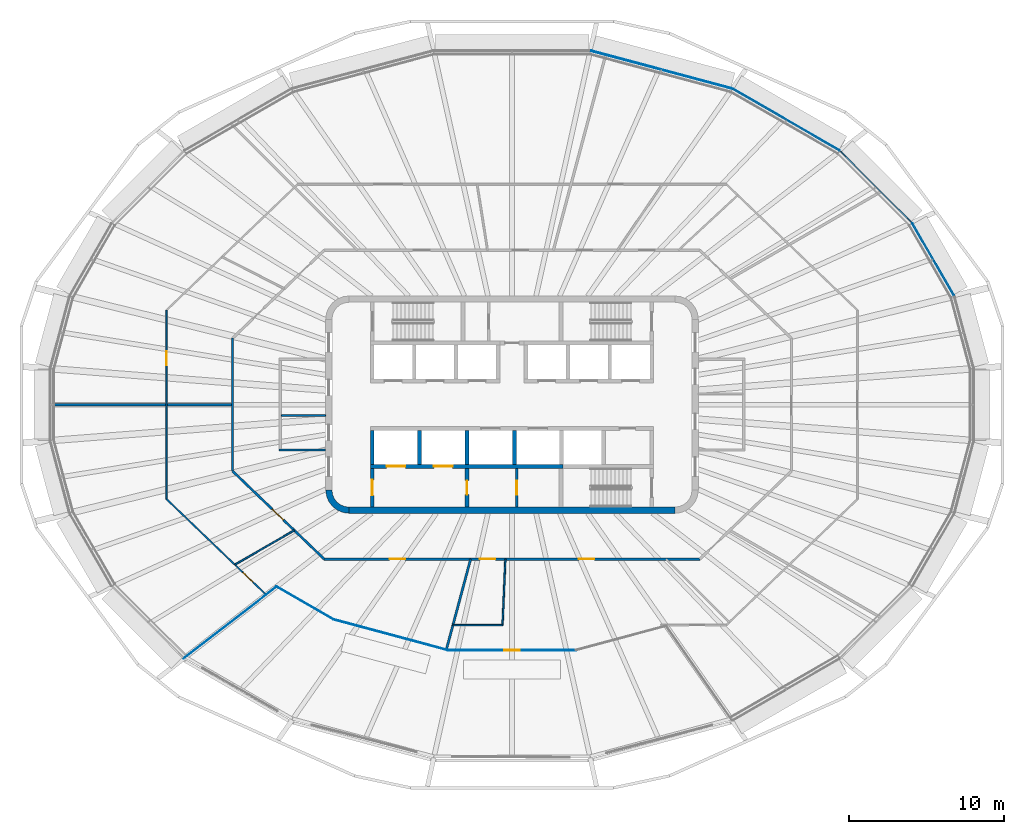
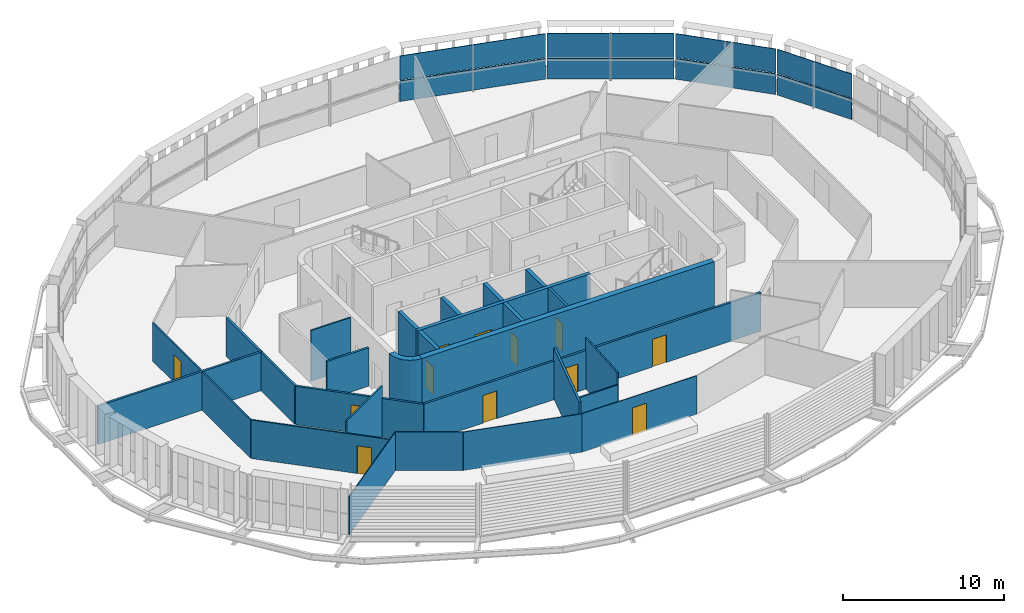
# One storey, part 10 of 20: 26 walls, 12 doors, 8 plates, 12 openings, 4 elements without a shape of their own.
"""IFC4 building model written with IfcOpenShell, lengths in metres."""

from ifc_helpers import new_model, si_unit, direction, frame, frame_2d, origin, place, context, subcontext, project, spatial, polyline, rectangle, outline, extrude, material, layer, layer_set, type_object, element, fill, aggregate, save


model = new_model("IFC4")

# Units and contexts
model_context = context("Model", 3, precision=1e-05, world=origin(), true_north=direction((0.0, 1.0)))
body_context = subcontext(model_context, "Body", "Model", "MODEL_VIEW")
ifc_project = project(units=[si_unit("LENGTHUNIT", "METRE"), si_unit("AREAUNIT", "SQUARE_METRE"), si_unit("VOLUMEUNIT", "CUBIC_METRE"), si_unit("PLANEANGLEUNIT", "RADIAN"), si_unit("MASSUNIT", "GRAM", prefix="KILO")], contexts=[model_context])

# Site, building, storey
site_placement = place(None, origin())
site = spatial("IfcSite", under=ifc_project, at=site_placement, CompositionType="ELEMENT")
building_placement = place(site_placement, origin())
building = spatial("IfcBuilding", under=site, at=building_placement, Name="Sahrelin Media Tower", CompositionType="ELEMENT")
storey_placement = place(building_placement, frame((0.0, 0.0, 271.0)))
storey = spatial("IfcBuildingStorey", under=building, at=storey_placement, Name="L59", CompositionType="ELEMENT", Elevation=271.0)

# Curtain wall, plate
ifc_material_1 = material(Name="Champagne anodised aluminium 6063-T6", Category="aluminium")
ifc_layer_1 = layer(ifc_material_1, 0.14990234375)
ifc_layer_set_1 = layer_set([ifc_layer_1], Name="Tower ribbon curtain wall")
curtain_wall_type = type_object("IfcCurtainWallType", Name="Tower ribbon curtain wall", PredefinedType="NOTDEFINED", material=ifc_layer_set_1)
curtain_wall_1_placement = place(storey_placement, frame((27.140869140625, 9.355224609375, 0.0), z_axis=(0.0, 0.0, 1.0), x_axis=(1.0, 0.0, 0.0)))
curtain_wall_1 = element("IfcCurtainWall", 1, at=curtain_wall_1_placement, inside=storey, type_object=curtain_wall_type, Name="L59:CW:L59-02", PredefinedType="NOTDEFINED")
ifc_material_2 = material(Name="Clear low-iron glazing", Category="glass")
ifc_layer_2 = layer(ifc_material_2, 0.048095703125)
ifc_layer_set_2 = layer_set([ifc_layer_2], Name="Glazing panel 48 mm CW1C")
plate_type_1 = type_object("IfcPlateType", Name="Glazing panel 48 mm CW1C", PredefinedType="CURTAIN_PANEL", material=ifc_layer_set_2)
plate_1_placement = place(storey_placement, frame((28.498291015625, 7.044189453125, 1.6298828125), z_axis=(0.866020236886, 0.500008949224, 0.0), x_axis=(-0.500008949224, 0.866020236886, 0.0)))
plate_1 = element("IfcPlate", 2, at=plate_1_placement, type_object=plate_type_1, Name="L59:CWP2:L59-02", PredefinedType="CURTAIN_PANEL", context=body_context, shape_type="SweptSolid", body=[
    extrude(outline(polyline([(0.0, 0.0), (5.3603515625, 0.0), (5.3603515625, 1.818603515625), (0.0, 1.818603515625), (0.0, 0.0)])), origin(), (0.0, 0.0, -1.0), 0.048095703125),
])

curtain_wall_2_placement = place(storey_placement, frame((23.461181640625, 14.0341796875, 0.0), z_axis=(0.0, 0.0, 1.0), x_axis=(1.0, 0.0, 0.0)))
curtain_wall_2 = element("IfcCurtainWall", 3, at=curtain_wall_2_placement, inside=storey, type_object=curtain_wall_type, Name="L59:CW:L59-03", PredefinedType="NOTDEFINED")
plate_2_placement = place(storey_placement, frame((25.754638671875, 11.76904296875, 1.6298828125), z_axis=(0.707106781187, 0.707106781187, 0.0), x_axis=(-0.707106781187, 0.707106781187, 0.0)))
plate_2 = element("IfcPlate", 4, at=plate_2_placement, type_object=plate_type_1, Name="L59:CWP2:L59-03", PredefinedType="CURTAIN_PANEL", context=body_context, shape_type="SweptSolid", body=[
    extrude(outline(polyline([(0.0, 0.0), (6.44677734375, 0.0), (6.44677734375, 1.818603515625), (0.0, 1.818603515625), (0.0, 0.0)])), origin(), (0.0, 0.0, -1.0), 0.048095703125),
])

curtain_wall_3_placement = place(storey_placement, frame((17.672119140625, 18.35498046875, 0.0), z_axis=(0.0, 0.0, 1.0), x_axis=(1.0, 0.0, 0.0)))
curtain_wall_3 = element("IfcCurtainWall", 5, at=curtain_wall_3_placement, inside=storey, type_object=curtain_wall_type, Name="L59:CW:L59-04", PredefinedType="NOTDEFINED")
plate_3_placement = place(storey_placement, frame((21.11328125, 16.39111328125, 1.6298828125), z_axis=(0.499996271135, 0.866027556635, 0.0), x_axis=(-0.866027556635, 0.499996271135, 0.0)))
plate_3 = element("IfcPlate", 6, at=plate_3_placement, type_object=plate_type_1, Name="L59:CWP2:L59-04", PredefinedType="CURTAIN_PANEL", context=body_context, shape_type="SweptSolid", body=[
    extrude(outline(polyline([(0.0, 0.0), (7.923828125, 0.0), (7.923828125, 1.818603515625), (0.0, 1.818603515625), (0.0, 0.0)])), origin(), (0.0, 0.0, -1.0), 0.048095703125),
])

curtain_wall_4_placement = place(storey_placement, frame((9.624267578125, 21.586181640625, 0.0), z_axis=(0.0, 0.0, 1.0), x_axis=(1.0, 0.0, 0.0)))
curtain_wall_4 = element("IfcCurtainWall", 7, at=curtain_wall_4_placement, inside=storey, type_object=curtain_wall_type, Name="L59:CW:L59-05", PredefinedType="NOTDEFINED")
plate_4_placement = place(storey_placement, frame((14.154541015625, 20.39306640625, 1.6298828125), z_axis=(0.258828560431, 0.965923276614, 0.0), x_axis=(-0.965923276614, 0.258828560431, 0.0)))
plate_4 = element("IfcPlate", 8, at=plate_4_placement, type_object=plate_type_1, Name="L59:CWP2:L59-05", PredefinedType="CURTAIN_PANEL", context=body_context, shape_type="SweptSolid", body=[
    extrude(outline(polyline([(0.0, 0.0), (9.369384765625, 0.0), (9.369384765625, 1.818603515625), (0.0, 1.818603515625), (0.0, 0.0)])), origin(), (0.0, 0.0, -1.0), 0.048095703125),
])

# Plate
ifc_material_3 = material(Name="Insulated spandrel panel")
ifc_layer_3 = layer(ifc_material_3, 0.06005859375)
ifc_layer_set_3 = layer_set([ifc_layer_3], Name="Spandrel panel 60 mm CW1")
plate_type_2 = type_object("IfcPlateType", Name="Spandrel panel 60 mm CW1", PredefinedType="SHEET", material=ifc_layer_set_3)
plate_5_placement = place(storey_placement, frame((28.498291015625, 7.044189453125, 0.0), z_axis=(0.866020236886, 0.500008949224, 0.0), x_axis=(-0.500008949224, 0.866020236886, 0.0)))
plate_5 = element("IfcPlate", 9, at=plate_5_placement, type_object=plate_type_2, Name="L59:CWP1:L59-02", PredefinedType="SHEET", context=body_context, shape_type="SweptSolid", body=[
    extrude(outline(polyline([(0.0, 0.0), (5.3603515625, 0.0), (5.3603515625, 1.570068359375), (0.0, 1.570068359375), (0.0, 0.0)])), origin(), (0.0, 0.0, -1.0), 0.06005859375),
])

aggregate(curtain_wall_1, [plate_5, plate_1])

plate_6_placement = place(storey_placement, frame((25.754638671875, 11.76904296875, 0.0), z_axis=(0.707106781187, 0.707106781187, 0.0), x_axis=(-0.707106781187, 0.707106781187, 0.0)))
plate_6 = element("IfcPlate", 10, at=plate_6_placement, type_object=plate_type_2, Name="L59:CWP1:L59-03", PredefinedType="SHEET", context=body_context, shape_type="SweptSolid", body=[
    extrude(outline(polyline([(0.0, 0.0), (6.44677734375, 0.0), (6.44677734375, 1.570068359375), (0.0, 1.570068359375), (0.0, 0.0)])), origin(), (0.0, 0.0, -1.0), 0.06005859375),
])

aggregate(curtain_wall_2, [plate_6, plate_2])

plate_7_placement = place(storey_placement, frame((21.11328125, 16.39111328125, 0.0), z_axis=(0.499996271135, 0.866027556635, 0.0), x_axis=(-0.866027556635, 0.499996271135, 0.0)))
plate_7 = element("IfcPlate", 11, at=plate_7_placement, type_object=plate_type_2, Name="L59:CWP1:L59-04", PredefinedType="SHEET", context=body_context, shape_type="SweptSolid", body=[
    extrude(outline(polyline([(0.0, 0.0), (7.923828125, 0.0), (7.923828125, 1.570068359375), (0.0, 1.570068359375), (0.0, 0.0)])), origin(), (0.0, 0.0, -1.0), 0.06005859375),
])

aggregate(curtain_wall_3, [plate_7, plate_3])

plate_8_placement = place(storey_placement, frame((14.154541015625, 20.39306640625, 0.0), z_axis=(0.258828560431, 0.965923276614, 0.0), x_axis=(-0.965923276614, 0.258828560431, 0.0)))
plate_8 = element("IfcPlate", 12, at=plate_8_placement, type_object=plate_type_2, Name="L59:CWP1:L59-05", PredefinedType="SHEET", context=body_context, shape_type="SweptSolid", body=[
    extrude(outline(polyline([(0.0, 0.0), (9.369384765625, 0.0), (9.369384765625, 1.570068359375), (0.0, 1.570068359375), (0.0, 0.0)])), origin(), (0.0, 0.0, -1.0), 0.06005859375),
])

aggregate(curtain_wall_4, [plate_8, plate_4])

# Walls
ifc_material_4 = material(Name="Concrete C60/75", Category="concrete")
ifc_layer_4 = layer(ifc_material_4, 0.39990234375)
ifc_layer_set_4 = layer_set([ifc_layer_4], Name="Core wall 400")
wall_type_1 = type_object("IfcWallType", Name="Core wall 400", PredefinedType="SHEAR", material=ifc_layer_set_4)
wall_1_placement = place(storey_placement, frame((-10.5, -6.800048828125, 0.0), z_axis=(0.0, 0.0, 1.0), x_axis=(1.0, 0.0, 0.0)))
element("IfcWall", 13, at=wall_1_placement, inside=storey, type_object=wall_type_1, Name="Core wall S L59", PredefinedType="SHEAR", context=body_context, shape_type="SweptSolid", body=[
    extrude(rectangle(XDim=21.0, YDim=0.39990234375, at=frame_2d((10.5, 0.0))), origin(), (0.0, 0.0, 1.0), 4.0),
])
wall_2_placement = place(storey_placement, origin())
element("IfcWall", 14, at=wall_2_placement, inside=storey, type_object=wall_type_1, Name="Core wall corner SW L59", PredefinedType="SHEAR", context=body_context, shape_type="SweptSolid", body=[
    extrude(outline(polyline([(-10.5, -7.0), (-10.5, -6.596435546875), (-10.78369140625, -6.55908203125), (-11.04833984375, -6.44970703125), (-11.275390625, -6.275390625), (-11.44970703125, -6.04833984375), (-11.55908203125, -5.78369140625), (-11.596435546875, -5.5), (-12.0, -5.5), (-11.948974609375, -5.88818359375), (-11.799072265625, -6.25), (-11.560791015625, -6.560791015625), (-11.25, -6.799072265625), (-10.88818359375, -6.948974609375), (-10.5, -7.0)])), origin(), (0.0, 0.0, 1.0), 4.0),
])
ifc_material_5 = material(Name="Fire-rated gypsum board partition")
ifc_layer_5 = layer(ifc_material_5, 0.10009765625)
ifc_layer_set_5 = layer_set([ifc_layer_5], Name="Fire-rated partition 100")
wall_type_2 = type_object("IfcWallType", Name="Fire-rated partition 100", PredefinedType="PARTITIONING", material=ifc_layer_set_5)
wall_3_placement = place(storey_placement, frame((-14.85009765625, -0.699951171875, 0.0), z_axis=(0.0, 0.0, 1.0), x_axis=(1.0, 0.0, 0.0)))
element("IfcWall", 15, at=wall_3_placement, inside=storey, type_object=wall_type_2, Name="Core room partition", PredefinedType="PARTITIONING", context=body_context, shape_type="SweptSolid", body=[
    extrude(rectangle(XDim=2.85009765625, YDim=0.10009765625, at=frame_2d((1.425048828125, 0.0))), origin(), (0.0, 0.0, 1.0), 3.85009765625),
])

# Wall, opening, door
ifc_layer_6 = layer(ifc_material_5, 0.14990234375)
ifc_layer_set_6 = layer_set([ifc_layer_6], Name="Fire-rated partition 150")
wall_type_3 = type_object("IfcWallType", Name="Fire-rated partition 150", PredefinedType="PARTITIONING", material=ifc_layer_set_6)
wall_4_placement = place(storey_placement, frame((0.300048828125, -6.60009765625, 0.0), z_axis=(0.0, 0.0, 1.0), x_axis=(0.0, 1.0, 0.0)))
wall_4 = element("IfcWall", 16, at=wall_4_placement, inside=storey, type_object=wall_type_3, Name="Core room fire partition", PredefinedType="PARTITIONING", context=body_context, shape_type="SweptSolid", body=[
    extrude(rectangle(XDim=2.5, YDim=0.14990234375, at=frame_2d((1.25, 0.0))), origin(), (0.0, 0.0, 1.0), 3.85009765625),
])
opening_1_placement = place(wall_4_placement, frame((0.800048828125, 0.0, 0.0)))
opening_1 = element("IfcOpeningElement", 17, at=opening_1_placement, cuts=wall_4, Name="Opening L59-D08", PredefinedType="OPENING", context=body_context, shape_type="SweptSolid", body=[
    extrude(rectangle(XDim=0.89990234375, YDim=2.10009765625, at=frame_2d((0.449951171875, 1.050048828125))), frame((0.0, 0.074951171875, 0.0), z_axis=(0.0, -1.0, 0.0), x_axis=(1.0, 0.0, 0.0)), (0.0, 0.0, 1.0), 0.14990234375),
])
ifc_material_6 = material(Name="Steel fire door leaf", Category="steel")
door_type_1 = type_object("IfcDoorType", Name="Fire door 900 x 2100 EI 60", OperationType="NOTDEFINED", PredefinedType="DOOR", material=ifc_material_6)
door_1_placement = place(opening_1_placement, origin())
door_1 = element("IfcDoor", 18, at=door_1_placement, inside=storey, type_object=door_type_1, Name="Core room door", OperationType="SINGLE_SWING_RIGHT", OverallHeight=2.10009765625, OverallWidth=0.89990234375, PredefinedType="DOOR", context=body_context, shape_type="SweptSolid", body=[
    extrude(rectangle(XDim=0.89990234375, YDim=2.10009765625, at=frame_2d((0.449951171875, 1.050048828125))), frame((0.0, 0.02490234375, 0.0), z_axis=(0.0, -1.0, 0.0), x_axis=(1.0, 0.0, 0.0)), (0.0, 0.0, 1.0), 0.050048828125),
])
fill(opening_1, door_1)

# Wall
wall_5_placement = place(storey_placement, frame((-15.0, -2.925048828125, 0.0), z_axis=(0.0, 0.0, 1.0), x_axis=(1.0, 0.0, 0.0)))
element("IfcWall", 19, at=wall_5_placement, inside=storey, type_object=wall_type_3, Name="Core room fire partition", PredefinedType="PARTITIONING", context=body_context, shape_type="SweptSolid", body=[
    extrude(rectangle(XDim=3.0, YDim=0.14990234375, at=frame_2d((1.5, 0.0))), origin(), (0.0, 0.0, 1.0), 2.918212890625),
])

# Wall, opening, door
wall_6_placement = place(storey_placement, frame((-18.0, -4.278076171875, 0.0), z_axis=(0.0, 0.0, 1.0), x_axis=(0.721260976692, -0.69266341285, 0.0)))
wall_6 = element("IfcWall", 20, at=wall_6_placement, inside=storey, type_object=wall_type_3, Name="Wall", PredefinedType="PARTITIONING", context=body_context, shape_type="SweptSolid", body=[
    extrude(rectangle(XDim=8.18701171875, YDim=0.14990234375, at=frame_2d((4.093505859375, 0.0))), origin(), (0.0, 0.0, 1.0), 2.918212890625),
])
opening_2_placement = place(wall_6_placement, frame((3.543701171875, 0.0, 0.0)))
opening_2 = element("IfcOpeningElement", 21, at=opening_2_placement, cuts=wall_6, Name="Opening L59-D18", PredefinedType="OPENING", context=body_context, shape_type="SweptSolid", body=[
    extrude(rectangle(XDim=1.0, YDim=2.10009765625, at=frame_2d((0.5, 1.050048828125))), frame((0.0, 0.074951171875, 0.0), z_axis=(0.0, -1.0, 0.0), x_axis=(1.0, 0.0, 0.0)), (0.0, 0.0, 1.0), 0.14990234375),
])
door_type_2 = type_object("IfcDoorType", Name="Fire door 1000 x 2100 EI 60", OperationType="NOTDEFINED", PredefinedType="DOOR", material=ifc_material_6)
door_2_placement = place(opening_2_placement, origin())
door_2 = element("IfcDoor", 22, at=door_2_placement, inside=storey, type_object=door_type_2, Name="Fire door", OperationType="SINGLE_SWING_RIGHT", OverallHeight=2.10009765625, OverallWidth=1.0, PredefinedType="DOOR", context=body_context, shape_type="SweptSolid", body=[
    extrude(rectangle(XDim=1.0, YDim=2.10009765625, at=frame_2d((0.5, 1.050048828125))), frame((0.0, 0.02490234375, 0.0), z_axis=(0.0, -1.0, 0.0), x_axis=(1.0, 0.0, 0.0)), (0.0, 0.0, 1.0), 0.050048828125),
])
fill(opening_2, door_2)

# Wall, openings, doors
wall_7_placement = place(storey_placement, frame((-12.094970703125, -9.948974609375, 0.0), z_axis=(0.0, 0.0, 1.0), x_axis=(1.0, 0.0, 0.0)))
wall_7 = element("IfcWall", 23, at=wall_7_placement, inside=storey, type_object=wall_type_3, Name="Wall", PredefinedType="PARTITIONING", context=body_context, shape_type="SweptSolid", body=[
    extrude(rectangle(XDim=24.18994140625, YDim=0.14990234375, at=frame_2d((12.094970703125, 0.0))), origin(), (0.0, 0.0, 1.0), 2.927001953125),
])
opening_3_placement = place(wall_7_placement, frame((4.214599609375, 0.0, 0.0)))
opening_3 = element("IfcOpeningElement", 24, at=opening_3_placement, cuts=wall_7, Name="Opening L59-D19", PredefinedType="OPENING", context=body_context, shape_type="SweptSolid", body=[
    extrude(rectangle(XDim=1.0, YDim=2.10009765625, at=frame_2d((0.5, 1.050048828125))), frame((0.0, 0.074951171875, 0.0), z_axis=(0.0, -1.0, 0.0), x_axis=(1.0, 0.0, 0.0)), (0.0, 0.0, 1.0), 0.14990234375),
])
opening_4_placement = place(wall_7_placement, frame((10.029052734375, 0.0, 0.0)))
opening_4 = element("IfcOpeningElement", 25, at=opening_4_placement, cuts=wall_7, Name="Opening L59-D21", PredefinedType="OPENING", context=body_context, shape_type="SweptSolid", body=[
    extrude(rectangle(XDim=1.0, YDim=2.10009765625, at=frame_2d((0.5, 1.050048828125))), frame((0.0, 0.074951171875, 0.0), z_axis=(0.0, -1.0, 0.0), x_axis=(1.0, 0.0, 0.0)), (0.0, 0.0, 1.0), 0.14990234375),
])
opening_5_placement = place(wall_7_placement, frame((16.39794921875, 0.0, 0.0)))
opening_5 = element("IfcOpeningElement", 26, at=opening_5_placement, cuts=wall_7, Name="Opening L59-D22", PredefinedType="OPENING", context=body_context, shape_type="SweptSolid", body=[
    extrude(rectangle(XDim=1.0, YDim=2.10009765625, at=frame_2d((0.5, 1.050048828125))), frame((0.0, 0.074951171875, 0.0), z_axis=(0.0, -1.0, 0.0), x_axis=(1.0, 0.0, 0.0)), (0.0, 0.0, 1.0), 0.14990234375),
])
door_3_placement = place(opening_3_placement, origin())
door_3 = element("IfcDoor", 27, at=door_3_placement, inside=storey, type_object=door_type_2, Name="Fire door", OperationType="SINGLE_SWING_LEFT", OverallHeight=2.10009765625, OverallWidth=1.0, PredefinedType="DOOR", context=body_context, shape_type="SweptSolid", body=[
    extrude(rectangle(XDim=1.0, YDim=2.10009765625, at=frame_2d((0.5, 1.050048828125))), frame((0.0, 0.02490234375, 0.0), z_axis=(0.0, -1.0, 0.0), x_axis=(1.0, 0.0, 0.0)), (0.0, 0.0, 1.0), 0.050048828125),
])
fill(opening_3, door_3)
door_4_placement = place(opening_4_placement, origin())
door_4 = element("IfcDoor", 28, at=door_4_placement, inside=storey, type_object=door_type_2, Name="Fire door", OperationType="SINGLE_SWING_RIGHT", OverallHeight=2.10009765625, OverallWidth=1.0, PredefinedType="DOOR", context=body_context, shape_type="SweptSolid", body=[
    extrude(rectangle(XDim=1.0, YDim=2.10009765625, at=frame_2d((0.5, 1.050048828125))), frame((0.0, 0.02490234375, 0.0), z_axis=(0.0, -1.0, 0.0), x_axis=(1.0, 0.0, 0.0)), (0.0, 0.0, 1.0), 0.050048828125),
])
fill(opening_4, door_4)
door_5_placement = place(opening_5_placement, origin())
door_5 = element("IfcDoor", 29, at=door_5_placement, inside=storey, type_object=door_type_2, Name="Fire door", OperationType="SINGLE_SWING_RIGHT", OverallHeight=2.10009765625, OverallWidth=1.0, PredefinedType="DOOR", context=body_context, shape_type="SweptSolid", body=[
    extrude(rectangle(XDim=1.0, YDim=2.10009765625, at=frame_2d((0.5, 1.050048828125))), frame((0.0, 0.02490234375, 0.0), z_axis=(0.0, -1.0, 0.0), x_axis=(1.0, 0.0, 0.0)), (0.0, 0.0, 1.0), 0.050048828125),
])
fill(opening_5, door_5)

# Walls
wall_8_placement = place(storey_placement, frame((-29.758056640625, 0.0, 0.0), z_axis=(0.0, 0.0, 1.0), x_axis=(1.0, 0.0, 0.0)))
element("IfcWall", 30, at=wall_8_placement, inside=storey, type_object=wall_type_3, Name="Wall", PredefinedType="PARTITIONING", context=body_context, shape_type="SweptSolid", body=[
    extrude(rectangle(XDim=11.758056640625, YDim=0.14990234375, at=frame_2d((5.87890625, 0.0))), origin(), (0.0, 0.0, 1.0), 2.927001953125),
])
wall_9_placement = place(storey_placement, frame((-4.22900390625, -15.784912109375, 0.0), z_axis=(0.0, 0.0, 1.0), x_axis=(0.258789276249, 0.965933802338, 0.0)))
element("IfcWall", 31, at=wall_9_placement, inside=storey, type_object=wall_type_3, Name="Wall", PredefinedType="PARTITIONING", context=body_context, shape_type="SweptSolid", body=[
    extrude(rectangle(XDim=6.04150390625, YDim=0.14990234375, at=frame_2d((3.020751953125, 0.0))), origin(), (0.0, 0.0, 1.0), 3.85009765625),
])
wall_10_placement = place(storey_placement, frame((-18.0, -4.278076171875, 0.0), z_axis=(0.0, 0.0, 1.0), x_axis=(0.0, 1.0, 0.0)))
element("IfcWall", 32, at=wall_10_placement, inside=storey, type_object=wall_type_3, Name="Wall", PredefinedType="PARTITIONING", context=body_context, shape_type="SweptSolid", body=[
    extrude(rectangle(XDim=8.55615234375, YDim=0.14990234375, at=frame_2d((4.278076171875, 0.0))), origin(), (0.0, 0.0, 1.0), 2.918212890625),
])

# Wall, opening, door
ifc_layer_7 = layer(ifc_material_5, 0.25)
ifc_layer_set_7 = layer_set([ifc_layer_7], Name="Firefighting lobby wall 250")
wall_type_4 = type_object("IfcWallType", Name="Firefighting lobby wall 250", PredefinedType="PARTITIONING", material=ifc_layer_set_7)
wall_11_placement = place(storey_placement, frame((-9.0, -6.60009765625, 0.0), z_axis=(0.0, 0.0, 1.0), x_axis=(0.0, 1.0, 0.0)))
wall_11 = element("IfcWall", 33, at=wall_11_placement, inside=storey, type_object=wall_type_4, Name="Core wall", PredefinedType="PARTITIONING", context=body_context, shape_type="SweptSolid", body=[
    extrude(rectangle(XDim=2.5, YDim=0.25, at=frame_2d((1.25, 0.0))), origin(), (0.0, 0.0, 1.0), 3.85009765625),
])
opening_6_placement = place(wall_11_placement, frame((0.75, 0.0, 0.0)))
opening_6 = element("IfcOpeningElement", 34, at=opening_6_placement, cuts=wall_11, Name="Opening L59-D04", PredefinedType="OPENING", context=body_context, shape_type="SweptSolid", body=[
    extrude(rectangle(XDim=1.0, YDim=2.10009765625, at=frame_2d((0.5, 1.050048828125))), frame((0.0, 0.125, 0.0), z_axis=(0.0, -1.0, 0.0), x_axis=(1.0, 0.0, 0.0)), (0.0, 0.0, 1.0), 0.25),
])
door_type_3 = type_object("IfcDoorType", Name="Firefighting lobby door 1000 x 2100 EI 120", OperationType="NOTDEFINED", PredefinedType="DOOR", material=ifc_material_6)
door_6_placement = place(opening_6_placement, origin())
door_6 = element("IfcDoor", 35, at=door_6_placement, inside=storey, type_object=door_type_3, Name="Firefighting lobby door", OperationType="SINGLE_SWING_LEFT", OverallHeight=2.10009765625, OverallWidth=1.0, PredefinedType="DOOR", context=body_context, shape_type="SweptSolid", body=[
    extrude(rectangle(XDim=1.0, YDim=2.10009765625, at=frame_2d((0.5, 1.050048828125))), frame((0.0, 0.02490234375, 0.0), z_axis=(0.0, -1.0, 0.0), x_axis=(1.0, 0.0, 0.0)), (0.0, 0.0, 1.0), 0.050048828125),
])
fill(opening_6, door_6)

wall_12_placement = place(storey_placement, frame((-2.89990234375, -6.60009765625, 0.0), z_axis=(0.0, 0.0, 1.0), x_axis=(0.0, 1.0, 0.0)))
wall_12 = element("IfcWall", 36, at=wall_12_placement, inside=storey, type_object=wall_type_4, Name="Core wall", PredefinedType="PARTITIONING", context=body_context, shape_type="SweptSolid", body=[
    extrude(rectangle(XDim=2.5, YDim=0.25, at=frame_2d((1.25, 0.0))), origin(), (0.0, 0.0, 1.0), 3.85009765625),
])
opening_7_placement = place(wall_12_placement, frame((0.800048828125, 0.0, 0.0)))
opening_7 = element("IfcOpeningElement", 37, at=opening_7_placement, cuts=wall_12, Name="Opening L59-D05", PredefinedType="OPENING", context=body_context, shape_type="SweptSolid", body=[
    extrude(rectangle(XDim=0.89990234375, YDim=2.10009765625, at=frame_2d((0.449951171875, 1.050048828125))), frame((0.0, 0.125, 0.0), z_axis=(0.0, -1.0, 0.0), x_axis=(1.0, 0.0, 0.0)), (0.0, 0.0, 1.0), 0.25),
])
door_type_4 = type_object("IfcDoorType", Name="Firefighting lobby door 900 x 2100 EI 120", OperationType="NOTDEFINED", PredefinedType="DOOR", material=ifc_material_6)
door_7_placement = place(opening_7_placement, origin())
door_7 = element("IfcDoor", 38, at=door_7_placement, inside=storey, type_object=door_type_4, Name="Riser door", OperationType="SINGLE_SWING_RIGHT", OverallHeight=2.10009765625, OverallWidth=0.89990234375, PredefinedType="DOOR", context=body_context, shape_type="SweptSolid", body=[
    extrude(rectangle(XDim=0.89990234375, YDim=2.10009765625, at=frame_2d((0.449951171875, 1.050048828125))), frame((0.0, 0.02490234375, 0.0), z_axis=(0.0, -1.0, 0.0), x_axis=(1.0, 0.0, 0.0)), (0.0, 0.0, 1.0), 0.050048828125),
])
fill(opening_7, door_7)

# Walls
ifc_material_7 = material(Name="Clear glass", Category="glass")
ifc_layer_8 = layer(ifc_material_7, 0.050048828125)
ifc_layer_set_8 = layer_set([ifc_layer_8], Name="Glazed partition 50")
wall_type_5 = type_object("IfcWallType", Name="Glazed partition 50", PredefinedType="PARTITIONING", material=ifc_layer_set_8)
wall_13_placement = place(storey_placement, frame((-15.160888671875, -11.721923828125, 0.0), z_axis=(0.0, 0.0, 1.0), x_axis=(0.866015533237, -0.5000170959, 0.0)))
element("IfcWall", 39, at=wall_13_placement, inside=storey, type_object=wall_type_5, Name="Wall", PredefinedType="PARTITIONING", context=body_context, shape_type="SweptSolid", body=[
    extrude(rectangle(XDim=4.231689453125, YDim=0.050048828125, at=frame_2d((2.11572265625, 0.0))), origin(), (0.0, 0.0, 1.0), 2.927001953125),
])
wall_14_placement = place(storey_placement, frame((-11.49609375, -13.838134765625, 0.0), z_axis=(0.0, 0.0, 1.0), x_axis=(0.965689277524, -0.259700248891, 0.0)))
element("IfcWall", 40, at=wall_14_placement, inside=storey, type_object=wall_type_5, Name="Wall", PredefinedType="PARTITIONING", context=body_context, shape_type="SweptSolid", body=[
    extrude(rectangle(XDim=7.626953125, YDim=0.050048828125, at=frame_2d((3.8134765625, 0.0))), origin(), (0.0, 0.0, 1.0), 2.927001953125),
])

# Wall, opening, door
wall_15_placement = place(storey_placement, frame((-4.12890625, -15.81201171875, 0.0), z_axis=(0.0, 0.0, 1.0), x_axis=(1.0, 0.0, 0.0)))
wall_15 = element("IfcWall", 41, at=wall_15_placement, inside=storey, type_object=wall_type_5, Name="Wall", PredefinedType="PARTITIONING", context=body_context, shape_type="SweptSolid", body=[
    extrude(rectangle(XDim=8.2578125, YDim=0.050048828125, at=frame_2d((4.12890625, 0.0))), origin(), (0.0, 0.0, 1.0), 2.927001953125),
])
opening_8_placement = place(wall_15_placement, frame((3.62890625, 0.0, 0.0)))
opening_8 = element("IfcOpeningElement", 42, at=opening_8_placement, cuts=wall_15, Name="Opening L59-D37", PredefinedType="OPENING", context=body_context, shape_type="SweptSolid", body=[
    extrude(rectangle(XDim=1.0, YDim=2.10009765625, at=frame_2d((0.5, 1.050048828125))), frame((0.0, 0.02490234375, 0.0), z_axis=(0.0, -1.0, 0.0), x_axis=(1.0, 0.0, 0.0)), (0.0, 0.0, 1.0), 0.050048828125),
])
door_type_5 = type_object("IfcDoorType", Name="Glazed door 1000 x 2100", OperationType="NOTDEFINED", PredefinedType="DOOR", material=ifc_material_7)
door_8_placement = place(opening_8_placement, origin())
door_8 = element("IfcDoor", 43, at=door_8_placement, inside=storey, type_object=door_type_5, Name="Glazed door", OperationType="SINGLE_SWING_RIGHT", OverallHeight=2.10009765625, OverallWidth=1.0, PredefinedType="DOOR", context=body_context, shape_type="SweptSolid", body=[
    extrude(rectangle(XDim=1.0, YDim=2.10009765625, at=frame_2d((0.5, 1.050048828125))), frame((0.0, 0.02490234375, 0.0), z_axis=(0.0, -1.0, 0.0), x_axis=(1.0, 0.0, 0.0)), (0.0, 0.0, 1.0), 0.049560546875),
])
fill(opening_8, door_8)

# Wall
wall_16_placement = place(storey_placement, frame((-21.14599609375, -16.348876953125, 0.0), z_axis=(0.0, 0.0, 1.0), x_axis=(0.791194145186, 0.611565061644, 0.0)))
element("IfcWall", 44, at=wall_16_placement, inside=storey, type_object=wall_type_5, Name="Wall", PredefinedType="PARTITIONING", context=body_context, shape_type="SweptSolid", body=[
    extrude(rectangle(XDim=7.56494140625, YDim=0.050048828125, at=frame_2d((3.782470703125, 0.0))), origin(), (0.0, 0.0, 1.0), 2.927001953125),
])

# Wall, openings, doors
ifc_layer_9 = layer(ifc_material_4, 0.25)
ifc_layer_set_9 = layer_set([ifc_layer_9], Name="Lift shaft wall 250")
wall_type_6 = type_object("IfcWallType", Name="Lift shaft wall 250", PredefinedType="SOLIDWALL", material=ifc_layer_set_9)
wall_17_placement = place(storey_placement, frame((-9.125, -3.97509765625, 0.0), z_axis=(0.0, 0.0, 1.0), x_axis=(1.0, 0.0, 0.0)))
wall_17 = element("IfcWall", 45, at=wall_17_placement, inside=storey, type_object=wall_type_6, Name="Lift shaft wall", PredefinedType="SOLIDWALL", context=body_context, shape_type="SweptSolid", body=[
    extrude(rectangle(XDim=12.39990234375, YDim=0.25, at=frame_2d((6.199951171875, 0.0))), origin(), (0.0, 0.0, 1.0), 3.85009765625),
])
opening_9_placement = place(wall_17_placement, frame((1.050048828125, 0.0, 0.0)))
opening_9 = element("IfcOpeningElement", 46, at=opening_9_placement, cuts=wall_17, Name="Opening L59-LD-FF1", PredefinedType="OPENING", context=body_context, shape_type="SweptSolid", body=[
    extrude(rectangle(XDim=1.199951171875, YDim=2.10009765625, at=frame_2d((0.60009765625, 1.050048828125))), frame((0.0, 0.125, 0.0), z_axis=(0.0, -1.0, 0.0), x_axis=(1.0, 0.0, 0.0)), (0.0, 0.0, 1.0), 0.25),
])
opening_10_placement = place(wall_17_placement, frame((4.10009765625, 0.0, 0.0)))
opening_10 = element("IfcOpeningElement", 47, at=opening_10_placement, cuts=wall_17, Name="Opening L59-LD-FF2", PredefinedType="OPENING", context=body_context, shape_type="SweptSolid", body=[
    extrude(rectangle(XDim=1.199951171875, YDim=2.10009765625, at=frame_2d((0.60009765625, 1.050048828125))), frame((0.0, 0.125, 0.0), z_axis=(0.0, -1.0, 0.0), x_axis=(1.0, 0.0, 0.0)), (0.0, 0.0, 1.0), 0.25),
])
ifc_material_8 = material(Name="Stainless steel", Category="steel")
door_type_6 = type_object("IfcDoorType", Name="Lift landing door 1200 x 2100 EI 120", OperationType="DOUBLE_DOOR_SLIDING", PredefinedType="DOOR", material=ifc_material_8)
door_9_placement = place(opening_9_placement, origin())
door_9 = element("IfcDoor", 48, at=door_9_placement, inside=storey, type_object=door_type_6, Name="Lift landing door FF1", OperationType="DOUBLE_DOOR_SLIDING", OverallHeight=2.10009765625, OverallWidth=1.199951171875, PredefinedType="DOOR", context=body_context, shape_type="SweptSolid", body=[
    extrude(rectangle(XDim=1.199951171875, YDim=2.10009765625, at=frame_2d((0.60009765625, 1.050048828125))), frame((0.0, 0.02490234375, 0.0), z_axis=(0.0, -1.0, 0.0), x_axis=(1.0, 0.0, 0.0)), (0.0, 0.0, 1.0), 0.050048828125),
])
fill(opening_9, door_9)
door_10_placement = place(opening_10_placement, origin())
door_10 = element("IfcDoor", 49, at=door_10_placement, inside=storey, type_object=door_type_6, Name="Lift landing door FF2", OperationType="DOUBLE_DOOR_SLIDING", OverallHeight=2.10009765625, OverallWidth=1.199951171875, PredefinedType="DOOR", context=body_context, shape_type="SweptSolid", body=[
    extrude(rectangle(XDim=1.199951171875, YDim=2.10009765625, at=frame_2d((0.60009765625, 1.050048828125))), frame((0.0, 0.02490234375, 0.0), z_axis=(0.0, -1.0, 0.0), x_axis=(1.0, 0.0, 0.0)), (0.0, 0.0, 1.0), 0.050048828125),
])
fill(opening_10, door_10)

# Walls
for number, where, z_axis, x_axis, name in (
    (50, (-9.0, -3.85009765625, 0.0), (0.0, 0.0, 1.0), (0.0, 1.0, 0.0), "Lift shaft wall"),
    (51, (-5.949951171875, -3.85009765625, 0.0), (0.0, 0.0, 1.0), (0.0, 1.0, 0.0), "Lift shaft wall"),
    (52, (-2.89990234375, -3.85009765625, 0.0), (0.0, 0.0, 1.0), (0.0, 1.0, 0.0), "Lift shaft wall"),
    (53, (0.14990234375, -3.85009765625, 0.0), (0.0, 0.0, 1.0), (0.0, 1.0, 0.0), "Lift shaft wall"),
):
    element("IfcWall", number, at=place(storey_placement, frame(where, z_axis=z_axis, x_axis=x_axis)), inside=storey, type_object=wall_type_6, Name=name, PredefinedType="SOLIDWALL", context=body_context, shape_type="SweptSolid", body=[
        extrude(rectangle(XDim=2.2001953125, YDim=0.25, at=frame_2d((1.10009765625, 0.0))), origin(), (0.0, 0.0, 1.0), 3.85009765625),
    ])

# Wall, opening, door
ifc_material_9 = material(Name="Gypsum board partition")
ifc_layer_10 = layer(ifc_material_9, 0.10009765625)
ifc_layer_set_10 = layer_set([ifc_layer_10], Name="Partition 100")
wall_type_7 = type_object("IfcWallType", Name="Partition 100", PredefinedType="PARTITIONING", material=ifc_layer_set_10)
wall_18_placement = place(storey_placement, frame((-22.25, -6.089111328125, 0.0), z_axis=(0.0, 0.0, 1.0), x_axis=(0.721325844404, -0.692595860654, 0.0)))
wall_18 = element("IfcWall", 54, at=wall_18_placement, inside=storey, type_object=wall_type_7, Name="Wall", PredefinedType="PARTITIONING", context=body_context, shape_type="SweptSolid", body=[
    extrude(rectangle(XDim=8.888671875, YDim=0.10009765625, at=frame_2d((4.4443359375, 0.0))), origin(), (0.0, 0.0, 1.0), 2.927001953125),
])
opening_11_placement = place(wall_18_placement, frame((6.81005859375, 0.0, 0.0)))
opening_11 = element("IfcOpeningElement", 55, at=opening_11_placement, cuts=wall_18, Name="Opening L59-D20", PredefinedType="OPENING", context=body_context, shape_type="SweptSolid", body=[
    extrude(rectangle(XDim=0.89990234375, YDim=2.10009765625, at=frame_2d((0.449951171875, 1.050048828125))), frame((0.0, 0.050048828125, 0.0), z_axis=(0.0, -1.0, 0.0), x_axis=(1.0, 0.0, 0.0)), (0.0, 0.0, 1.0), 0.10009765625),
])
ifc_material_10 = material(Name="Timber door leaf", Category="wood")
door_type_7 = type_object("IfcDoorType", Name="Single door 900 x 2100", OperationType="NOTDEFINED", PredefinedType="DOOR", material=ifc_material_10)
door_11_placement = place(opening_11_placement, origin())
door_11 = element("IfcDoor", 56, at=door_11_placement, inside=storey, type_object=door_type_7, Name="Single door", OperationType="SINGLE_SWING_RIGHT", OverallHeight=2.10009765625, OverallWidth=0.89990234375, PredefinedType="DOOR", context=body_context, shape_type="SweptSolid", body=[
    extrude(rectangle(XDim=0.89990234375, YDim=2.10009765625, at=frame_2d((0.449951171875, 1.050048828125))), frame((0.0, 0.02490234375, 0.0), z_axis=(0.0, -1.0, 0.0), x_axis=(1.0, 0.0, 0.0)), (0.0, 0.0, 1.0), 0.050048828125),
])
fill(opening_11, door_11)

# Walls
wall_19_placement = place(storey_placement, frame((-3.803955078125, -14.198974609375, 0.0), z_axis=(0.0, 0.0, 1.0), x_axis=(1.0, 0.0, 0.0)))
element("IfcWall", 57, at=wall_19_placement, inside=storey, type_object=wall_type_7, Name="Wall", PredefinedType="PARTITIONING", context=body_context, shape_type="SweptSolid", body=[
    extrude(rectangle(XDim=3.19384765625, YDim=0.10009765625, at=frame_2d((1.596923828125, 0.0))), origin(), (0.0, 0.0, 1.0), 2.927001953125),
])
wall_20_placement = place(storey_placement, frame((-17.85595703125, -10.30908203125, 0.0), z_axis=(0.0, 0.0, 1.0), x_axis=(0.866051440883, 0.49995489971, 0.0)))
element("IfcWall", 58, at=wall_20_placement, inside=storey, type_object=wall_type_7, Name="Wall", PredefinedType="PARTITIONING", context=body_context, shape_type="SweptSolid", body=[
    extrude(rectangle(XDim=4.4248046875, YDim=0.10009765625, at=frame_2d((2.21240234375, 0.0))), origin(), (0.0, 0.0, 1.0), 3.85009765625),
])
wall_21_placement = place(storey_placement, frame((-0.610107421875, -14.198974609375, 0.0), z_axis=(0.0, 0.0, 1.0), x_axis=(0.04304370936, 0.999073190054, 0.0)))
element("IfcWall", 59, at=wall_21_placement, inside=storey, type_object=wall_type_7, Name="Wall", PredefinedType="PARTITIONING", context=body_context, shape_type="SweptSolid", body=[
    extrude(rectangle(XDim=4.25390625, YDim=0.10009765625, at=frame_2d((2.126953125, 0.0))), origin(), (0.0, 0.0, 1.0), 3.85009765625),
])

# Wall, opening, door
wall_22_placement = place(storey_placement, frame((-22.25, -6.089111328125, 0.0), z_axis=(0.0, 0.0, 1.0), x_axis=(0.0, 1.0, 0.0)))
wall_22 = element("IfcWall", 60, at=wall_22_placement, inside=storey, type_object=wall_type_7, Name="Wall", PredefinedType="PARTITIONING", context=body_context, shape_type="SweptSolid", body=[
    extrude(rectangle(XDim=12.17822265625, YDim=0.10009765625, at=frame_2d((6.089111328125, 0.0))), origin(), (0.0, 0.0, 1.0), 2.918212890625),
])
opening_12_placement = place(wall_22_placement, frame((8.63232421875, 0.0, 0.0)))
opening_12 = element("IfcOpeningElement", 61, at=opening_12_placement, cuts=wall_22, Name="Opening L59-D36", PredefinedType="OPENING", context=body_context, shape_type="SweptSolid", body=[
    extrude(rectangle(XDim=0.89990234375, YDim=2.10009765625, at=frame_2d((0.449951171875, 1.050048828125))), frame((0.0, 0.050048828125, 0.0), z_axis=(0.0, -1.0, 0.0), x_axis=(1.0, 0.0, 0.0)), (0.0, 0.0, 1.0), 0.10009765625),
])
door_12_placement = place(opening_12_placement, origin())
door_12 = element("IfcDoor", 62, at=door_12_placement, inside=storey, type_object=door_type_7, Name="Single door", OperationType="SINGLE_SWING_RIGHT", OverallHeight=2.10009765625, OverallWidth=0.89990234375, PredefinedType="DOOR", context=body_context, shape_type="SweptSolid", body=[
    extrude(rectangle(XDim=0.89990234375, YDim=2.10009765625, at=frame_2d((0.449951171875, 1.050048828125))), frame((0.0, 0.02490234375, 0.0), z_axis=(0.0, -1.0, 0.0), x_axis=(1.0, 0.0, 0.0)), (0.0, 0.0, 1.0), 0.050048828125),
])
fill(opening_12, door_12)

save(model, "model.ifc")
